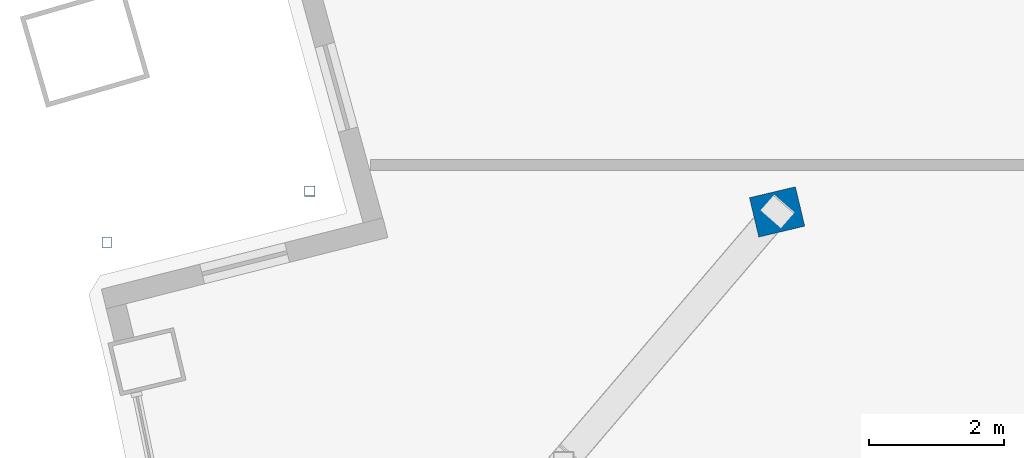
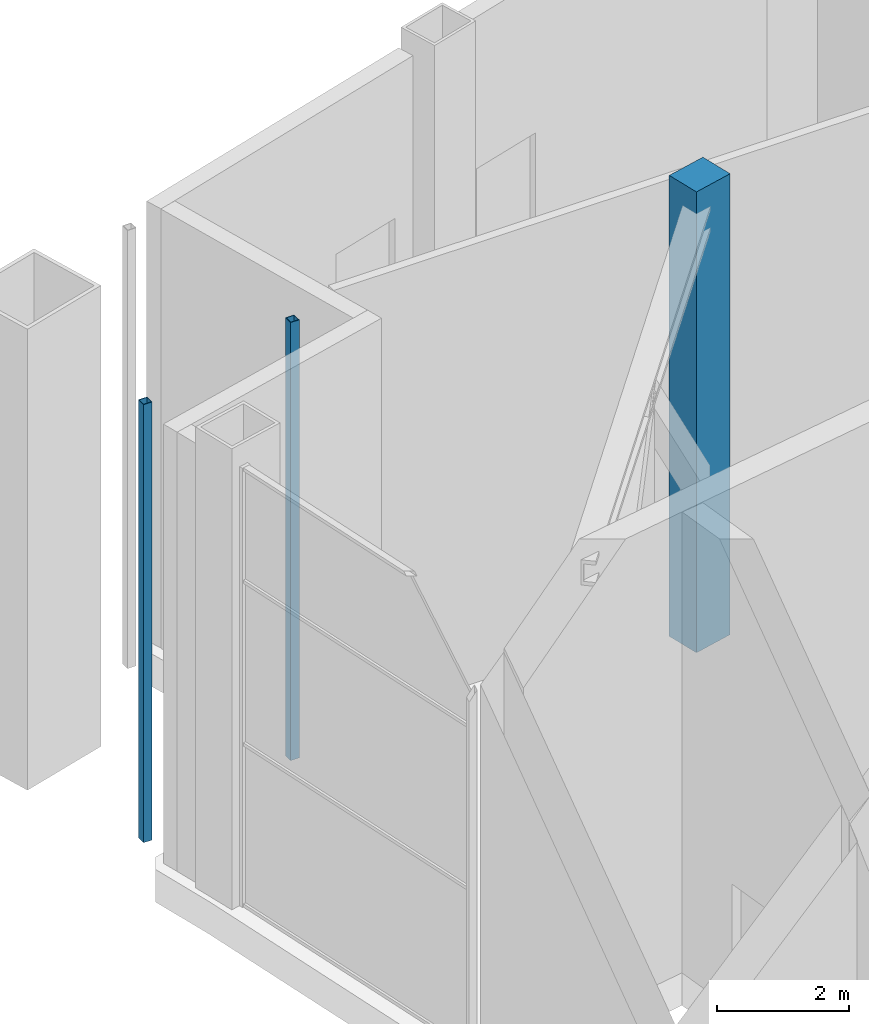
# One storey, part 3 of 25: 3 columns.
"""IFC4 building model written with IfcOpenShell, lengths in metres."""

from ifc_helpers import new_model, si_unit, direction, frame, origin, origin_2d, place, context, subcontext, project, spatial, rectangle, hollow_rectangle, extrude, material, material_profile, profile_set, type_object, element, save


model = new_model("IFC4")

# Units and contexts
model_context = context("Model", 3, precision=1e-05, world=origin(), true_north=direction((0.0, 1.0)))
body_context = subcontext(model_context, "Body", "Model", "MODEL_VIEW")
ifc_project = project(units=[si_unit("LENGTHUNIT", "METRE"), si_unit("AREAUNIT", "SQUARE_METRE"), si_unit("VOLUMEUNIT", "CUBIC_METRE"), si_unit("PLANEANGLEUNIT", "RADIAN"), si_unit("MASSUNIT", "GRAM", prefix="KILO")], contexts=[model_context])

# Site, building, storey
site_placement = place(None, origin())
site = spatial("IfcSite", under=ifc_project, at=site_placement, CompositionType="ELEMENT")
building_placement = place(site_placement, origin())
building = spatial("IfcBuilding", under=site, at=building_placement, Name="Alderwake Tower", CompositionType="ELEMENT")
storey_placement = place(building_placement, frame((0.0, 0.0, 296.0)))
storey = spatial("IfcBuildingStorey", under=building, at=storey_placement, Name="L73", CompositionType="ELEMENT", Elevation=296.0)

# Columns
ifc_material_1 = material(Name="Concrete C70/85", Category="concrete")
ifc_material_profile_1 = material_profile(ifc_material_1, rectangle(XDim=0.60009765625, YDim=0.699951171875, at=origin_2d()), Name="RC 700X600")
ifc_profile_set_1 = profile_set([ifc_material_profile_1], Name="Concrete C70/85")
column_type_1 = type_object("IfcColumnType", Name="Interior column Z5", PredefinedType="COLUMN", material=ifc_profile_set_1)
column_placement = place(storey_placement, frame((23.322021484375, 85.555908203125, 0.0), z_axis=(0.0, 0.0, 1.0), x_axis=(-0.231221547198, 0.972901123502, 0.0)))
element("IfcColumn", 1, at=column_placement, inside=storey, type_object=column_type_1, Name="Column R11-C1", PredefinedType="COLUMN", context=body_context, shape_type="SweptSolid", body=[
    extrude(rectangle(XDim=0.60009765625, YDim=0.699951171875, at=origin_2d()), origin(), (0.0, 0.0, 1.0), 8.5),
])
ifc_material_2 = material(Name="Steel ASTM A500 Grade C", Category="steel")
ifc_material_profile_2 = material_profile(ifc_material_2, hollow_rectangle(XDim=0.15234375, YDim=0.15234375, WallThickness=0.0087890625, at=origin_2d()), Name="HSS6X6X3/8")
ifc_profile_set_2 = profile_set([ifc_material_profile_2], Name="Steel ASTM A500 Grade C")
column_type_2 = type_object("IfcColumnType", Name="Light post HSS6X6X3/8", PredefinedType="COLUMN", material=ifc_profile_set_2)
for number, where, z_axis, x_axis, name in (
    (2, (13.3896484375, 85.103515625, 0.0), (0.0, 0.0, 1.0), (1.0, 0.0, 0.0), "Terrace post RN1"),
    (3, (16.39501953125, 85.864013671875, 0.0), (0.0, 0.0, 1.0), (1.0, 0.0, 0.0), "Terrace post RN3"),
):
    element("IfcColumn", number, at=place(storey_placement, frame(where, z_axis=z_axis, x_axis=x_axis)), inside=storey, type_object=column_type_2, Name=name, PredefinedType="COLUMN", context=body_context, shape_type="SweptSolid", body=[
        extrude(hollow_rectangle(XDim=0.15234375, YDim=0.15234375, WallThickness=0.0087890625, at=origin_2d()), origin(), (0.0, 0.0, 1.0), 8.080078125),
    ])

save(model, "model.ifc")
